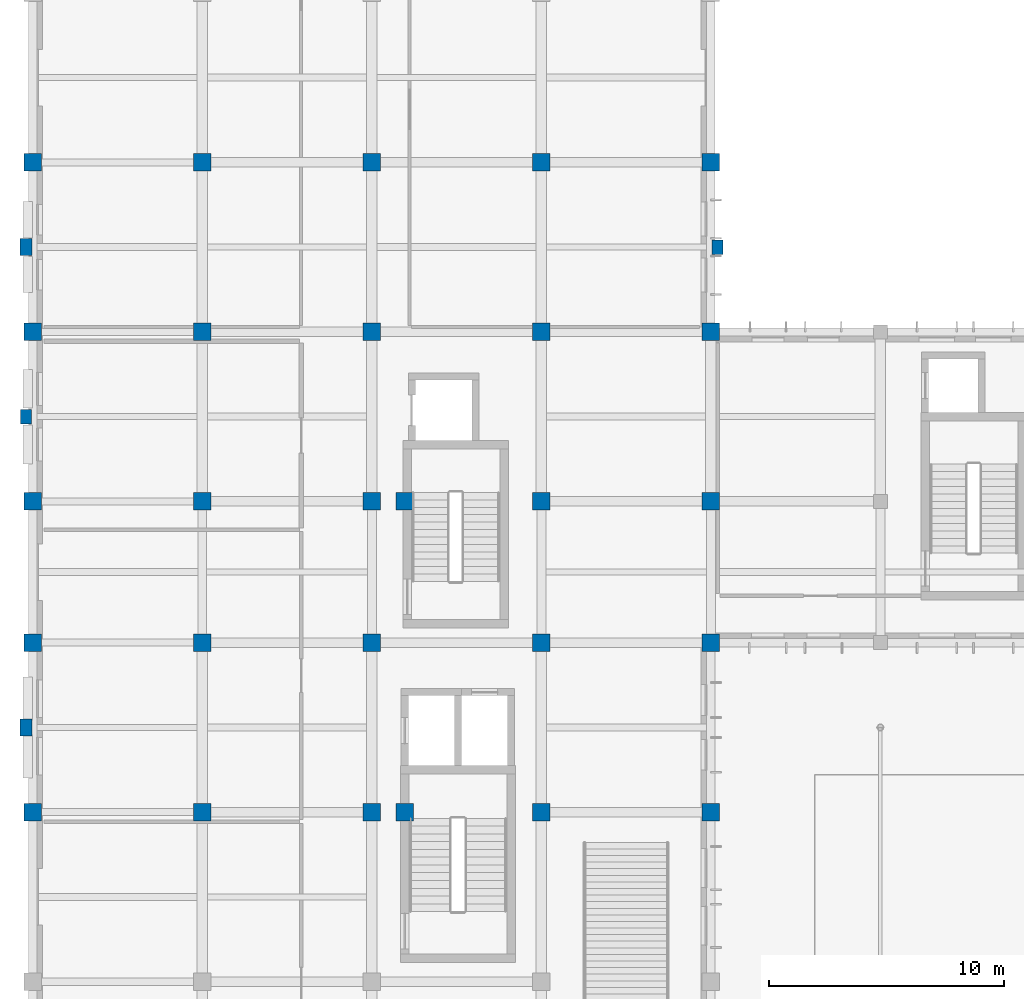
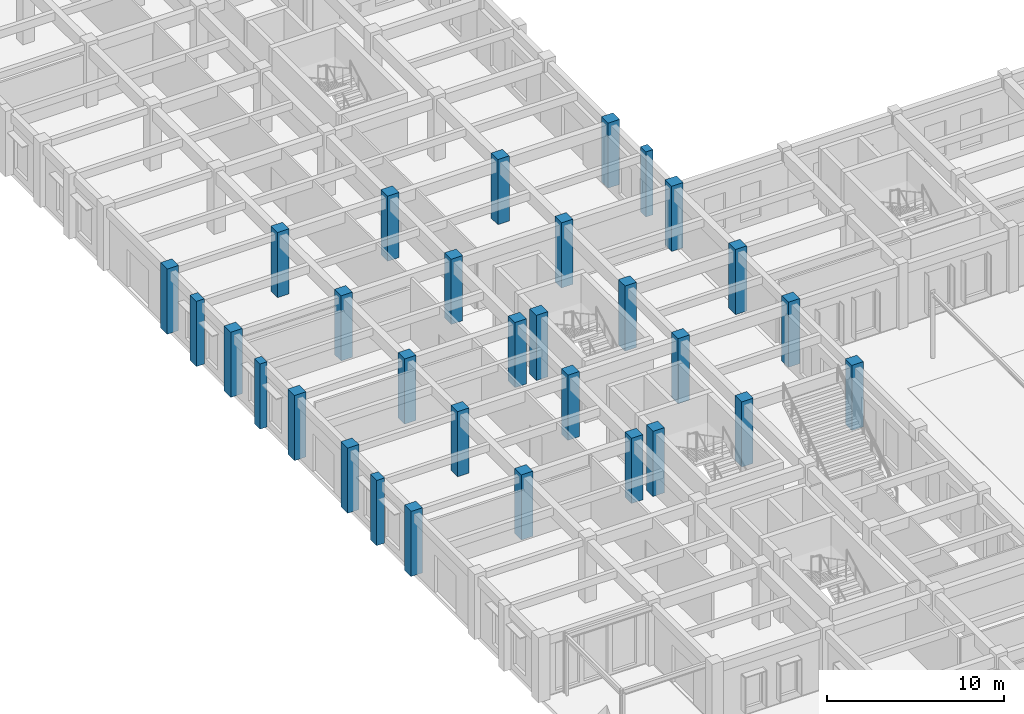
# One storey, part 5 of 43: 31 columns.
"""IFC4 building model written with IfcOpenShell, lengths in metres."""

from ifc_helpers import new_model, si_unit, direction, frame, origin, origin_2d, place, context, subcontext, project, spatial, rectangle, extrude, material, material_profile, profile_set, type_object, element, save


model = new_model("IFC4")

# Units and contexts
model_context = context("Model", 3, precision=1e-05, world=origin(), true_north=direction((0.0, 1.0)))
body_context = subcontext(model_context, "Body", "Model", "MODEL_VIEW")
ifc_project = project(units=[si_unit("LENGTHUNIT", "METRE"), si_unit("AREAUNIT", "SQUARE_METRE"), si_unit("VOLUMEUNIT", "CUBIC_METRE"), si_unit("PLANEANGLEUNIT", "RADIAN"), si_unit("MASSUNIT", "GRAM", prefix="KILO")], contexts=[model_context])

# Site, building, storey
site_placement = place(None, origin())
site = spatial("IfcSite", under=ifc_project, at=site_placement, CompositionType="ELEMENT")
building_placement = place(site_placement, origin())
building = spatial("IfcBuilding", under=site, at=building_placement, Name="Alvorim Cloister Faculty of Sciences", CompositionType="ELEMENT")
storey_placement = place(building_placement, origin())
storey = spatial("IfcBuildingStorey", under=building, at=storey_placement, Name="L00", CompositionType="ELEMENT", Elevation=0.0)

# Columns
ifc_material_1 = material(Name="Concrete C40", Category="concrete")
ifc_material_profile_1 = material_profile(ifc_material_1, rectangle(XDim=0.75, YDim=0.75, at=origin_2d()), Name="RC40-COL-750x750")
ifc_profile_set_1 = profile_set([ifc_material_profile_1], Name="Concrete C40")
column_type_1 = type_object("IfcColumnType", Name="COL-RC-750", PredefinedType="COLUMN", material=ifc_profile_set_1)
for number, where, z_axis, x_axis, name in (
    (1, (0.0, 36.0, 0.0), (0.0, 0.0, 1.0), (1.0, 0.0, 0.0), "L00 Column COL-0205"),
    (2, (0.0, 43.199951171875, 0.0), (0.0, 0.0, 1.0), (1.0, 0.0, 0.0), "L00 Column COL-0206"),
    (3, (0.0, 49.199951171875, 0.0), (0.0, 0.0, 1.0), (1.0, 0.0, 0.0), "L00 Column COL-0207"),
    (4, (0.0, 56.39990234375, 0.0), (0.0, 0.0, 1.0), (1.0, 0.0, 0.0), "L00 Column COL-0208"),
    (5, (0.0, 63.60009765625, 0.0), (0.0, 0.0, 1.0), (1.0, 0.0, 0.0), "L00 Column COL-0209"),
    (6, (7.199951171875, 36.0, 0.0), (0.0, 0.0, 1.0), (1.0, 0.0, 0.0), "L00 Column COL-0222"),
    (7, (7.199951171875, 43.199951171875, 0.0), (0.0, 0.0, 1.0), (1.0, 0.0, 0.0), "L00 Column COL-0223"),
    (8, (7.199951171875, 49.199951171875, 0.0), (0.0, 0.0, 1.0), (1.0, 0.0, 0.0), "L00 Column COL-0224"),
    (9, (7.199951171875, 56.39990234375, 0.0), (0.0, 0.0, 1.0), (1.0, 0.0, 0.0), "L00 Column COL-0225"),
    (10, (7.199951171875, 63.60009765625, 0.0), (0.0, 0.0, 1.0), (1.0, 0.0, 0.0), "L00 Column COL-0226"),
    (11, (14.39990234375, 36.0, 0.0), (0.0, 0.0, 1.0), (1.0, 0.0, 0.0), "L00 Column COL-0239"),
    (12, (14.39990234375, 43.199951171875, 0.0), (0.0, 0.0, 1.0), (1.0, 0.0, 0.0), "L00 Column COL-0240"),
    (13, (14.39990234375, 49.199951171875, 0.0), (0.0, 0.0, 1.0), (1.0, 0.0, 0.0), "L00 Column COL-0241"),
    (14, (14.39990234375, 56.39990234375, 0.0), (0.0, 0.0, 1.0), (1.0, 0.0, 0.0), "L00 Column COL-0242"),
    (15, (14.39990234375, 63.60009765625, 0.0), (0.0, 0.0, 1.0), (1.0, 0.0, 0.0), "L00 Column COL-0243"),
    (16, (15.800048828125, 36.0, 0.0), (0.0, 0.0, 1.0), (1.0, 0.0, 0.0), "L00 Column COL-0252"),
    (17, (15.800048828125, 49.199951171875, 0.0), (0.0, 0.0, 1.0), (1.0, 0.0, 0.0), "L00 Column COL-0253"),
    (18, (21.60009765625, 36.0, 0.0), (0.0, 0.0, 1.0), (1.0, 0.0, 0.0), "L00 Column COL-0259"),
    (19, (21.60009765625, 43.199951171875, 0.0), (0.0, 0.0, 1.0), (1.0, 0.0, 0.0), "L00 Column COL-0260"),
    (20, (21.60009765625, 49.199951171875, 0.0), (0.0, 0.0, 1.0), (1.0, 0.0, 0.0), "L00 Column COL-0261"),
    (21, (21.60009765625, 56.39990234375, 0.0), (0.0, 0.0, 1.0), (1.0, 0.0, 0.0), "L00 Column COL-0262"),
    (22, (21.60009765625, 63.60009765625, 0.0), (0.0, 0.0, 1.0), (1.0, 0.0, 0.0), "L00 Column COL-0263"),
    (23, (28.800048828125, 36.0, 0.0), (0.0, 0.0, 1.0), (1.0, 0.0, 0.0), "L00 Column COL-0276"),
    (24, (28.800048828125, 43.199951171875, 0.0), (0.0, 0.0, 1.0), (1.0, 0.0, 0.0), "L00 Column COL-0277"),
    (25, (28.800048828125, 49.199951171875, 0.0), (0.0, 0.0, 1.0), (1.0, 0.0, 0.0), "L00 Column COL-0278"),
    (26, (28.800048828125, 56.39990234375, 0.0), (0.0, 0.0, 1.0), (1.0, 0.0, 0.0), "L00 Column COL-0279"),
    (27, (28.800048828125, 63.60009765625, 0.0), (0.0, 0.0, 1.0), (1.0, 0.0, 0.0), "L00 Column COL-0280"),
):
    element("IfcColumn", number, at=place(storey_placement, frame(where, z_axis=z_axis, x_axis=x_axis)), inside=storey, type_object=column_type_1, Name=name, PredefinedType="COLUMN", context=body_context, shape_type="SweptSolid", body=[
        extrude(rectangle(XDim=0.75, YDim=0.75, at=origin_2d()), origin(), (0.0, 0.0, 1.0), 4.5),
    ])
ifc_material_2 = material(Name="Maua Grey Granite Stone", Category="masonry")
ifc_material_profile_2 = material_profile(ifc_material_2, rectangle(XDim=0.4599609375, YDim=0.6201171875, at=origin_2d()), Name="GRN-PIER-460x620")
ifc_profile_set_2 = profile_set([ifc_material_profile_2], Name="Maua Grey Granite Stone")
column_type_2 = type_object("IfcColumnType", Name="PIL-GRN-460x620", PredefinedType="PILASTER", material=ifc_profile_set_2)
for number, where, z_axis, x_axis, name in (
    (28, (-0.280029296875, 52.800048828125, 0.0), (0.0, 0.0, 1.0), (1.0, 0.0, 0.0), "L00 Gothic Buttress Pier COL-1128"),
    (29, (29.080078125, 60.0, 0.0), (0.0, 0.0, 1.0), (1.0, 0.0, 0.0), "L00 Gothic Buttress Pier COL-1161"),
):
    element("IfcColumn", number, at=place(storey_placement, frame(where, z_axis=z_axis, x_axis=x_axis)), inside=storey, type_object=column_type_2, Name=name, PredefinedType="PILASTER", context=body_context, shape_type="SweptSolid", body=[
        extrude(rectangle(XDim=0.4599609375, YDim=0.6201171875, at=origin_2d()), origin(), (0.0, 0.0, 1.0), 4.5),
    ])
ifc_material_profile_3 = material_profile(ifc_material_2, rectangle(XDim=0.52001953125, YDim=0.719970703125, at=origin_2d()), Name="GRN-PIER-520x720")
ifc_profile_set_3 = profile_set([ifc_material_profile_3], Name="Maua Grey Granite Stone")
column_type_3 = type_object("IfcColumnType", Name="PIL-GRN-520x720", PredefinedType="PILASTER", material=ifc_profile_set_3)
for number, where, z_axis, x_axis, name in (
    (30, (-0.280029296875, 39.60009765625, 0.0), (0.0, 0.0, 1.0), (1.0, 0.0, 0.0), "L00 Gothic Buttress Pier COL-1125"),
    (31, (-0.280029296875, 60.0, 0.0), (0.0, 0.0, 1.0), (1.0, 0.0, 0.0), "L00 Gothic Buttress Pier COL-1131"),
):
    element("IfcColumn", number, at=place(storey_placement, frame(where, z_axis=z_axis, x_axis=x_axis)), inside=storey, type_object=column_type_3, Name=name, PredefinedType="PILASTER", context=body_context, shape_type="SweptSolid", body=[
        extrude(rectangle(XDim=0.52001953125, YDim=0.719970703125, at=origin_2d()), origin(), (0.0, 0.0, 1.0), 4.5),
    ])

save(model, "model.ifc")
